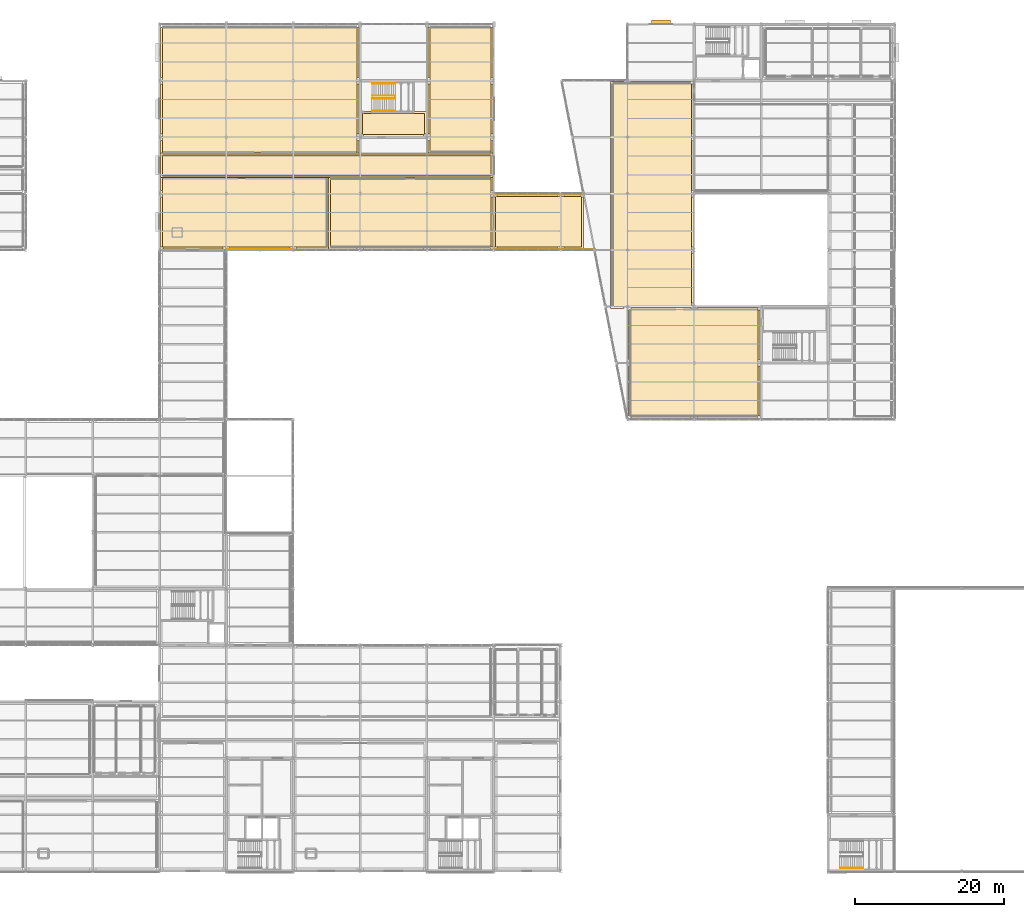
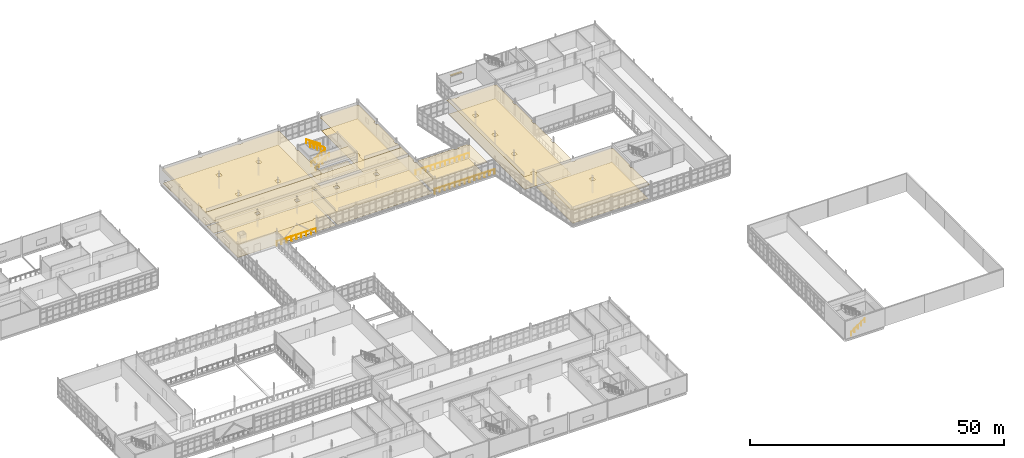
# One storey, part 172 of 174: 18 coverings, 7 railings, 1 shading device.
"""IFC4 building model written with IfcOpenShell, lengths in metres."""

import ifcopenshell
import ifcopenshell.guid

model = None  # the IFC model being written
_history = None  # IfcOwnerHistory: only IFC2X3 demands one
_inside = {}  # id of a spatial element -> (the spatial element, [elements in it])
_under = {}  # id of a project, library or spatial element -> (it, [spatial elements below it])
_declared = {}  # id of a project -> (the project, [libraries it declares])
_typed = {}  # id of a type object -> (the type object, [elements of that type])
_made_of = {}  # id of a material, layer set ... -> (it, [elements and type objects made of it])


def new_model(schema):
    """Start an empty IFC model of exactly this schema.

    Asked for "IFC4X3", IfcOpenShell would pick the latest addendum, in which some entities
    have other attributes; the version numbers below select the first issue.
    IFC2X3 requires an IfcOwnerHistory on every rooted entity: one is made here for all.
    """
    global model, _history
    if schema == "IFC4X3":
        model = ifcopenshell.file(schema_version=(4, 3, 0, 0))
    else:
        model = ifcopenshell.file(schema=schema)
    _inside.clear()
    _under.clear()
    _declared.clear()
    _typed.clear()
    _made_of.clear()
    _history = None
    if model.schema == "IFC2X3":
        org = make("IfcOrganization", Name="unknown")
        user = make(
            "IfcPersonAndOrganization",
            ThePerson=make("IfcPerson", FamilyName="unknown"),
            TheOrganization=org,
        )
        app = make(
            "IfcApplication",
            ApplicationDeveloper=org,
            Version="unknown",
            ApplicationFullName="unknown",
            ApplicationIdentifier="unknown",
        )
        _history = make(
            "IfcOwnerHistory",
            OwningUser=user,
            OwningApplication=app,
            ChangeAction="ADDED",
            CreationDate=0,
        )
    return model


def make(cls, **values):
    """One entity of the class cls with the attributes given. An attribute that is None is left unset."""
    return model.create_entity(
        cls, **{name: value for name, value in values.items() if value is not None}
    )


def rooted(cls, **values):
    """An entity with a GlobalId (a new one), such as an element, a storey or a relation."""
    return make(cls, GlobalId=ifcopenshell.guid.new(), OwnerHistory=_history, **values)


def si_unit(unit_type, name, prefix=None):
    """IfcSIUnit, for example si_unit("LENGTHUNIT", "METRE", prefix="MILLI")."""
    return make("IfcSIUnit", UnitType=unit_type, Prefix=prefix, Name=name)


def assignment(units):
    """IfcUnitAssignment: the units of a project."""
    return None if units is None else make("IfcUnitAssignment", Units=units)


def point(xyz):
    """IfcCartesianPoint."""
    return None if xyz is None else make("IfcCartesianPoint", Coordinates=xyz)


def direction(xyz):
    """IfcDirection."""
    return None if xyz is None else make("IfcDirection", DirectionRatios=xyz)


def frame(location, z_axis=None, x_axis=None):
    """IfcAxis2Placement3D, a coordinate frame: its origin and axes. An axis left out is left unset."""
    return make(
        "IfcAxis2Placement3D",
        Location=point(location),
        Axis=direction(z_axis),
        RefDirection=direction(x_axis),
    )


def frame_2d(location, x_axis=None):
    """IfcAxis2Placement2D, a coordinate frame in the plane: its origin and x axis."""
    return make(
        "IfcAxis2Placement2D", Location=point(location), RefDirection=direction(x_axis)
    )


def origin():
    """The frame at (0, 0, 0) with its axes left unset."""
    return frame((0.0, 0.0, 0.0))


def origin_2d():
    """The frame at (0, 0) in the plane with its x axis left unset."""
    return frame_2d((0.0, 0.0))


def place(relative_to, where):
    """IfcLocalPlacement: puts the frame where relative to a parent placement (None: the world)."""
    return make(
        "IfcLocalPlacement", PlacementRelTo=relative_to, RelativePlacement=where
    )


def context(
    kind, dimensions, precision=None, world=None, true_north=None, identifier=None
):
    """IfcGeometricRepresentationContext, for example the 3D "Model" context."""
    return make(
        "IfcGeometricRepresentationContext",
        ContextIdentifier=identifier,
        ContextType=kind,
        CoordinateSpaceDimension=dimensions,
        Precision=precision,
        WorldCoordinateSystem=world,
        TrueNorth=true_north,
    )


def subcontext(parent, identifier, kind, view, scale=None):
    """IfcGeometricRepresentationSubContext, for example "Body" below "Model"."""
    return make(
        "IfcGeometricRepresentationSubContext",
        ContextIdentifier=identifier,
        ContextType=kind,
        ParentContext=parent,
        TargetScale=scale,
        TargetView=view,
    )


def project(units=None, contexts=None):
    """IfcProject with its units and contexts."""
    return rooted(
        "IfcProject",
        Name="project",
        RepresentationContexts=contexts,
        UnitsInContext=assignment(units),
    )


def spatial(cls, under=None, at=None, **own):
    """A site, building, storey or space (cls), placed at a placement, below another one or the project."""
    s = rooted(cls, ObjectPlacement=at, **own)
    if under is not None:
        _under.setdefault(under.id(), (under, []))[1].append(s)
    return s


def polyline(points):
    """IfcPolyline through the points."""
    return make("IfcPolyline", Points=[point(p) for p in points])


def profile(cls, at=None, kind="AREA", **sizes):
    """A parametric profile (cls). Its sizes go by their IFC names, for example OverallWidth=200.0."""
    return make(cls, ProfileType=kind, Position=at, **sizes)


def rectangle(**sizes):
    """IfcRectangleProfileDef."""
    return profile("IfcRectangleProfileDef", **sizes)


def circle(**sizes):
    """IfcCircleProfileDef."""
    return profile("IfcCircleProfileDef", **sizes)


def outline(outer, holes=None, kind="AREA"):
    """IfcArbitraryClosedProfileDef: a profile drawn as a closed curve; with holes, ...WithVoids."""
    if holes is None:
        return make("IfcArbitraryClosedProfileDef", ProfileType=kind, OuterCurve=outer)
    return make(
        "IfcArbitraryProfileDefWithVoids",
        ProfileType=kind,
        OuterCurve=outer,
        InnerCurves=holes,
    )


def extrude(swept, where, along, depth):
    """IfcExtrudedAreaSolid: the profile swept, set in the frame where, extruded along a direction by depth."""
    return make(
        "IfcExtrudedAreaSolid",
        SweptArea=swept,
        Position=where,
        ExtrudedDirection=direction(along),
        Depth=depth,
    )


def shape(context_of_items, identifier, shape_type, items):
    """IfcShapeRepresentation: the items that make up one representation, for example the "Body"."""
    return make(
        "IfcShapeRepresentation",
        ContextOfItems=context_of_items,
        RepresentationIdentifier=identifier,
        RepresentationType=shape_type,
        Items=items,
    )


def material(Name=None, Category=None):
    """IfcMaterial."""
    return make("IfcMaterial", Name=Name, Category=Category)


def layer(
    of_material, thickness, ventilated=None, Name=None, Category=None, Priority=None
):
    """IfcMaterialLayer: one layer of a wall or slab, of a material (None: an air gap)."""
    return make(
        "IfcMaterialLayer",
        Material=of_material,
        LayerThickness=thickness,
        IsVentilated=ventilated,
        Name=Name,
        Category=Category,
        Priority=Priority,
    )


def layer_set(layers, Name=None):
    """IfcMaterialLayerSet."""
    return make("IfcMaterialLayerSet", MaterialLayers=layers, LayerSetName=Name)


def made_of(thing, what):
    """Note that an element or type object is made of a material, layer set ...; save() writes the relation."""
    if what is not None:
        _made_of.setdefault(what.id(), (what, []))[1].append(thing)
    return thing


def type_object(cls, material=None, **own):
    """A type object (cls), such as IfcWallType, which elements share."""
    return made_of(rooted(cls, **own), material)


def element(
    cls,
    number,
    at=None,
    inside=None,
    cuts=None,
    type_object=None,
    material=None,
    context=None,
    identifier="Body",
    shape_type=None,
    held_by="IfcProductDefinitionShape",
    body=None,
    shapes=None,
    **own,
):
    """One element of the class cls, such as IfcWall. Its Tag is "e" and its number.

    at: its placement. inside: the storey or other place that contains it. cuts: it is an
    opening in that element (IfcRelVoidsElement). A single representation is given by context,
    identifier, shape_type and body (its items); several are given by shapes. held_by: the class
    of the entity that holds the representations. save() writes the other relations.
    """
    e = rooted(cls, Tag="e%d" % number, ObjectPlacement=at, **own)
    if body is not None:
        shapes = [shape(context, identifier, shape_type, body)]
    if shapes is not None:
        e.Representation = make(held_by, Representations=shapes)
    if inside is not None:
        _inside.setdefault(inside.id(), (inside, []))[1].append(e)
    if cuts is not None:
        rooted(
            "IfcRelVoidsElement", RelatingBuildingElement=cuts, RelatedOpeningElement=e
        )
    if type_object is not None:
        _typed.setdefault(type_object.id(), (type_object, []))[1].append(e)
    return made_of(e, material)


def aggregate(whole, parts):
    """IfcRelAggregates: a whole, such as a stair, and the parts it consists of."""
    return rooted("IfcRelAggregates", RelatingObject=whole, RelatedObjects=parts)


def save(model, path):
    """Write the relations noted so far, then the file.

    IfcRelAggregates (storeys below a building ...), IfcRelContainedInSpatialStructure (elements
    in a storey), IfcRelDefinesByType, IfcRelAssociatesMaterial and IfcRelDeclares: one each for
    every whole, place, type object, material and project.
    """
    for whole, parts in _under.values():
        aggregate(whole, parts)
    for where, things in _inside.values():
        rooted(
            "IfcRelContainedInSpatialStructure",
            RelatedElements=things,
            RelatingStructure=where,
        )
    for kind, things in _typed.values():
        rooted("IfcRelDefinesByType", RelatedObjects=things, RelatingType=kind)
    for what, things in _made_of.values():
        rooted("IfcRelAssociatesMaterial", RelatedObjects=things, RelatingMaterial=what)
    for by, libraries in _declared.values():
        rooted("IfcRelDeclares", RelatingContext=by, RelatedDefinitions=libraries)
    model.write(path)


model = new_model("IFC4")

# Units and contexts
model_context = context("Model", 3, precision=1e-05, world=origin(), true_north=direction((0.0, 1.0)))
body_context = subcontext(model_context, "Body", "Model", "MODEL_VIEW")
ifc_project = project(units=[si_unit("LENGTHUNIT", "METRE"), si_unit("AREAUNIT", "SQUARE_METRE"), si_unit("VOLUMEUNIT", "CUBIC_METRE"), si_unit("PLANEANGLEUNIT", "RADIAN"), si_unit("MASSUNIT", "GRAM", prefix="KILO")], contexts=[model_context])

# Site, building, storey
site_placement = place(None, origin())
site = spatial("IfcSite", under=ifc_project, at=site_placement, CompositionType="ELEMENT")
building_placement = place(site_placement, origin())
building = spatial("IfcBuilding", under=site, at=building_placement, Name="Caisbarro Railhouse Central Library", CompositionType="ELEMENT")
storey_placement = place(building_placement, frame((0.0, 0.0, 5.0400390625)))
storey = spatial("IfcBuildingStorey", under=building, at=storey_placement, Name="L01", CompositionType="ELEMENT", Elevation=5.0400390625)

# Coverings
ifc_material_1 = material(Name="Perforated mineral-fibre acoustic ceiling tile")
ifc_layer_1 = layer(ifc_material_1, 0.01806640625, Name="Perforated mineral-fibre acoustic ceiling tile")
ifc_layer_set_1 = layer_set([ifc_layer_1], Name="Perforated mineral-fibre acoustic ceiling tile")
covering_type_1 = type_object("IfcCoveringType", Name="COV-CL01", PredefinedType="CEILING", material=ifc_layer_set_1)
covering_1_placement = place(storey_placement, frame((0.0, 0.0, 3.25)))
element("IfcCovering", 1, at=covering_1_placement, inside=storey, type_object=covering_type_1, Name="CL01 acoustic ceiling Stair Lobby K5", PredefinedType="CEILING", context=body_context, shape_type="SweptSolid", body=[
    extrude(outline(polyline([(89.9599609375, 102.260009765625), (89.9599609375, 99.239990234375), (89.56005859375, 99.239990234375), (89.56005859375, 98.889892578125), (81.43994140625, 98.889892578125), (81.43994140625, 99.239990234375), (81.0400390625, 99.239990234375), (81.0400390625, 102.260009765625), (89.9599609375, 102.260009765625)])), origin(), (0.0, 0.0, 1.0), 0.01806640625),
])
covering_2_placement = place(storey_placement, frame((0.0, 0.0, 3.25)))
element("IfcCovering", 2, at=covering_2_placement, inside=storey, type_object=covering_type_1, Name="CL01 acoustic ceiling Maker and Podcast Corridor L01", PredefinedType="CEILING", context=body_context, shape_type="SweptSolid", body=[
    extrude(outline(polyline([(54.139892578125, 93.340087890625), (54.139892578125, 96.659912109375), (98.860107421875, 96.659912109375), (98.860107421875, 93.340087890625), (54.139892578125, 93.340087890625)])), origin(), (0.0, 0.0, 1.0), 0.01806640625),
])
covering_3_placement = place(storey_placement, frame((0.0, 0.0, 3.25)))
element("IfcCovering", 3, at=covering_3_placement, inside=storey, type_object=covering_type_1, Name="CL01 acoustic ceiling Robotics and 3D-Fabrication Studio", PredefinedType="CEILING", context=body_context, shape_type="SweptSolid", body=[
    extrude(outline(polyline([(62.56005859375, 84.0400390625), (62.56005859375, 83.739990234375), (54.43994140625, 83.739990234375), (54.43994140625, 84.0400390625), (54.139892578125, 84.0400390625), (54.139892578125, 90.760009765625), (54.43994140625, 90.760009765625), (54.43994140625, 91.639892578125), (54.139892578125, 91.639892578125), (54.139892578125, 93.4599609375), (76.860107421875, 93.4599609375), (76.860107421875, 83.739990234375), (72.43994140625, 83.739990234375), (72.43994140625, 84.0400390625), (71.56005859375, 84.0400390625), (71.56005859375, 83.739990234375), (63.43994140625, 83.739990234375), (63.43994140625, 84.0400390625), (62.56005859375, 84.0400390625)]), holes=[polyline([(62.56005859375, 90.760009765625), (63.43994140625, 90.760009765625), (63.43994140625, 91.639892578125), (62.56005859375, 91.639892578125), (62.56005859375, 90.760009765625)]), polyline([(72.43994140625, 91.639892578125), (71.56005859375, 91.639892578125), (71.56005859375, 90.760009765625), (72.43994140625, 90.760009765625), (72.43994140625, 91.639892578125)])]), origin(), (0.0, 0.0, 1.0), 0.01806640625),
])
covering_4_placement = place(storey_placement, frame((0.0, 0.0, 3.25)))
element("IfcCovering", 4, at=covering_4_placement, inside=storey, type_object=covering_type_1, Name="CL01 acoustic ceiling Audio Recording and Podcast Lab", PredefinedType="CEILING", context=body_context, shape_type="SweptSolid", body=[
    extrude(outline(polyline([(89.56005859375, 84.0400390625), (89.56005859375, 83.739990234375), (81.43994140625, 83.739990234375), (81.43994140625, 84.0400390625), (80.56005859375, 84.0400390625), (80.56005859375, 83.739990234375), (76.739990234375, 83.739990234375), (76.739990234375, 93.4599609375), (98.860107421875, 93.4599609375), (98.860107421875, 91.639892578125), (98.56005859375, 91.639892578125), (98.56005859375, 90.760009765625), (98.860107421875, 90.760009765625), (98.860107421875, 84.0400390625), (98.56005859375, 84.0400390625), (98.56005859375, 83.739990234375), (90.43994140625, 83.739990234375), (90.43994140625, 84.0400390625), (89.56005859375, 84.0400390625)]), holes=[polyline([(81.43994140625, 91.639892578125), (80.56005859375, 91.639892578125), (80.56005859375, 90.760009765625), (81.43994140625, 90.760009765625), (81.43994140625, 91.639892578125)]), polyline([(89.56005859375, 90.760009765625), (90.43994140625, 90.760009765625), (90.43994140625, 91.639892578125), (89.56005859375, 91.639892578125), (89.56005859375, 90.760009765625)])]), origin(), (0.0, 0.0, 1.0), 0.01806640625),
])
covering_5_placement = place(storey_placement, frame((0.0, 0.0, 3.25)))
element("IfcCovering", 5, at=covering_5_placement, inside=storey, type_object=covering_type_1, Name="CL01 acoustic ceiling Adult Literacy Seminar Room", PredefinedType="CEILING", context=body_context, shape_type="SweptSolid", body=[
    extrude(outline(polyline([(62.56005859375, 113.860107421875), (62.56005859375, 113.56005859375), (63.43994140625, 113.56005859375), (63.43994140625, 113.860107421875), (71.56005859375, 113.860107421875), (71.56005859375, 113.56005859375), (72.43994140625, 113.56005859375), (72.43994140625, 113.860107421875), (80.56005859375, 113.860107421875), (80.56005859375, 113.56005859375), (80.860107421875, 113.56005859375), (80.860107421875, 106.840087890625), (80.56005859375, 106.840087890625), (80.56005859375, 105.9599609375), (80.860107421875, 105.9599609375), (80.860107421875, 99.239990234375), (80.56005859375, 99.239990234375), (80.56005859375, 98.360107421875), (80.860107421875, 98.360107421875), (80.860107421875, 96.5400390625), (54.139892578125, 96.5400390625), (54.139892578125, 98.360107421875), (54.43994140625, 98.360107421875), (54.43994140625, 99.239990234375), (54.139892578125, 99.239990234375), (54.139892578125, 105.9599609375), (54.43994140625, 105.9599609375), (54.43994140625, 106.840087890625), (54.139892578125, 106.840087890625), (54.139892578125, 113.56005859375), (54.43994140625, 113.56005859375), (54.43994140625, 113.860107421875), (62.56005859375, 113.860107421875)]), holes=[polyline([(63.43994140625, 99.239990234375), (62.56005859375, 99.239990234375), (62.56005859375, 98.360107421875), (63.43994140625, 98.360107421875), (63.43994140625, 99.239990234375)]), polyline([(63.43994140625, 105.9599609375), (63.43994140625, 106.840087890625), (62.56005859375, 106.840087890625), (62.56005859375, 105.9599609375), (63.43994140625, 105.9599609375)]), polyline([(71.56005859375, 99.239990234375), (71.56005859375, 98.360107421875), (72.43994140625, 98.360107421875), (72.43994140625, 99.239990234375), (71.56005859375, 99.239990234375)]), polyline([(72.43994140625, 106.840087890625), (71.56005859375, 106.840087890625), (71.56005859375, 105.9599609375), (72.43994140625, 105.9599609375), (72.43994140625, 106.840087890625)])]), origin(), (0.0, 0.0, 1.0), 0.01806640625),
])
covering_6_placement = place(storey_placement, frame((0.0, 0.0, 3.25)))
element("IfcCovering", 6, at=covering_6_placement, inside=storey, type_object=covering_type_1, Name="CL01 acoustic ceiling Civic Workshop Classroom", PredefinedType="CEILING", context=body_context, shape_type="SweptSolid", body=[
    extrude(outline(polyline([(90.43994140625, 105.9599609375), (90.43994140625, 106.840087890625), (90.139892578125, 106.840087890625), (90.139892578125, 113.56005859375), (90.43994140625, 113.56005859375), (90.43994140625, 113.860107421875), (98.56005859375, 113.860107421875), (98.56005859375, 113.56005859375), (98.860107421875, 113.56005859375), (98.860107421875, 106.840087890625), (98.56005859375, 106.840087890625), (98.56005859375, 105.9599609375), (98.860107421875, 105.9599609375), (98.860107421875, 99.239990234375), (98.56005859375, 99.239990234375), (98.56005859375, 98.360107421875), (98.860107421875, 98.360107421875), (98.860107421875, 96.5400390625), (90.139892578125, 96.5400390625), (90.139892578125, 98.360107421875), (90.43994140625, 98.360107421875), (90.43994140625, 99.239990234375), (90.139892578125, 99.239990234375), (90.139892578125, 105.9599609375), (90.43994140625, 105.9599609375)])), origin(), (0.0, 0.0, 1.0), 0.01806640625),
])
ifc_material_2 = material(Name="Slatted acoustic timber baffle ceiling", Category="wood")
ifc_layer_2 = layer(ifc_material_2, 0.031982421875, Name="Slatted acoustic timber baffle ceiling")
ifc_layer_set_2 = layer_set([ifc_layer_2], Name="Slatted acoustic timber baffle ceiling")
covering_type_2 = type_object("IfcCoveringType", Name="COV-CL02", PredefinedType="CEILING", material=ifc_layer_set_2)
covering_7_placement = place(storey_placement, frame((0.0, 0.0, 3.25)))
element("IfcCovering", 7, at=covering_7_placement, inside=storey, type_object=covering_type_2, Name="CL02 acoustic ceiling Courtyard Reading Bridge East L01", PredefinedType="CEILING", context=body_context, shape_type="SweptSolid", body=[
    extrude(outline(polyline([(108.43994140625, 84.0400390625), (107.56005859375, 84.0400390625), (107.56005859375, 83.739990234375), (99.43994140625, 83.739990234375), (99.43994140625, 84.0400390625), (98.93994140625, 84.0400390625), (98.93994140625, 90.760009765625), (99.43994140625, 90.760009765625), (99.43994140625, 91.06005859375), (107.56005859375, 91.06005859375), (107.56005859375, 90.760009765625), (108.43994140625, 90.760009765625), (108.43994140625, 91.06005859375), (110.65087890625, 91.06005859375), (110.65087890625, 90.760009765625), (111.06005859375, 90.760009765625), (111.06005859375, 83.739990234375), (108.43994140625, 83.739990234375), (108.43994140625, 84.0400390625)])), origin(), (0.0, 0.0, 1.0), 0.031982421875),
])
covering_8_placement = place(storey_placement, frame((0.0, 0.0, 3.25)))
element("IfcCovering", 8, at=covering_8_placement, inside=storey, type_object=covering_type_2, Name="CL02 acoustic ceiling Atrium South Reading Room L01", PredefinedType="CEILING", context=body_context, shape_type="SweptSolid", body=[
    extrude(outline(polyline([(117.43994140625, 61.239990234375), (117.139892578125, 61.239990234375), (117.139892578125, 67.9599609375), (117.43994140625, 67.9599609375), (117.43994140625, 68.840087890625), (117.139892578125, 68.840087890625), (117.139892578125, 75.56005859375), (117.43994140625, 75.56005859375), (117.43994140625, 75.860107421875), (125.56005859375, 75.860107421875), (125.56005859375, 75.56005859375), (126.43994140625, 75.56005859375), (126.43994140625, 75.860107421875), (134.56005859375, 75.860107421875), (134.56005859375, 75.56005859375), (134.860107421875, 75.56005859375), (134.860107421875, 68.840087890625), (134.56005859375, 68.840087890625), (134.56005859375, 67.9599609375), (134.860107421875, 67.9599609375), (134.860107421875, 61.239990234375), (134.56005859375, 61.239990234375), (134.56005859375, 60.93994140625), (126.43994140625, 60.93994140625), (126.43994140625, 61.239990234375), (125.56005859375, 61.239990234375), (125.56005859375, 60.93994140625), (117.43994140625, 60.93994140625), (117.43994140625, 61.239990234375)]), holes=[polyline([(126.43994140625, 68.840087890625), (125.56005859375, 68.840087890625), (125.56005859375, 67.9599609375), (126.43994140625, 67.9599609375), (126.43994140625, 68.840087890625)])]), origin(), (0.0, 0.0, 1.0), 0.031982421875),
])
covering_9_placement = place(storey_placement, frame((0.0, 0.0, 3.25)))
element("IfcCovering", 9, at=covering_9_placement, inside=storey, type_object=covering_type_2, Name="CL02 acoustic ceiling Atrium West Splayed Reading Gallery L01", PredefinedType="CEILING", context=body_context, shape_type="SweptSolid", body=[
    extrude(outline(polyline([(116.56005859375, 106.260009765625), (116.56005859375, 105.9599609375), (117.43994140625, 105.9599609375), (117.43994140625, 106.260009765625), (125.56005859375, 106.260009765625), (125.56005859375, 105.9599609375), (125.860107421875, 105.9599609375), (125.860107421875, 99.239990234375), (125.56005859375, 99.239990234375), (125.56005859375, 98.360107421875), (125.860107421875, 98.360107421875), (125.860107421875, 91.639892578125), (125.56005859375, 91.639892578125), (125.56005859375, 90.760009765625), (125.860107421875, 90.760009765625), (125.860107421875, 84.0400390625), (125.56005859375, 84.0400390625), (125.56005859375, 83.159912109375), (125.860107421875, 83.159912109375), (125.860107421875, 76.43994140625), (125.56005859375, 76.43994140625), (125.56005859375, 75.739990234375), (117.43994140625, 75.739990234375), (117.43994140625, 76.43994140625), (116.56005859375, 76.43994140625), (116.56005859375, 75.739990234375), (114.739990234375, 75.739990234375), (114.739990234375, 106.260009765625), (116.56005859375, 106.260009765625)]), holes=[polyline([(117.43994140625, 84.0400390625), (116.56005859375, 84.0400390625), (116.56005859375, 83.159912109375), (117.43994140625, 83.159912109375), (117.43994140625, 84.0400390625)]), polyline([(117.43994140625, 90.760009765625), (117.43994140625, 91.639892578125), (116.56005859375, 91.639892578125), (116.56005859375, 90.760009765625), (117.43994140625, 90.760009765625)]), polyline([(116.56005859375, 98.360107421875), (117.43994140625, 98.360107421875), (117.43994140625, 99.239990234375), (116.56005859375, 99.239990234375), (116.56005859375, 98.360107421875)])]), origin(), (0.0, 0.0, 1.0), 0.031982421875),
])
ifc_material_3 = material(Name="Polished cementitious terrazzo flooring")
ifc_layer_3 = layer(ifc_material_3, 0.02197265625, Name="Polished cementitious terrazzo flooring")
ifc_layer_set_3 = layer_set([ifc_layer_3], Name="Polished cementitious terrazzo flooring")
covering_type_3 = type_object("IfcCoveringType", Name="COV-FL01", PredefinedType="FLOORING", material=ifc_layer_set_3)
covering_10_placement = place(storey_placement, origin())
element("IfcCovering", 10, at=covering_10_placement, inside=storey, type_object=covering_type_3, Name="FL01 flooring Stair Lobby K5", PredefinedType="FLOORING", context=body_context, shape_type="SweptSolid", body=[
    extrude(outline(polyline([(81.300048828125, 99.14990234375), (89.699951171875, 99.14990234375), (89.699951171875, 102.0), (81.300048828125, 102.0), (81.300048828125, 99.14990234375)])), origin(), (0.0, 0.0, 1.0), 0.02197265625),
])
covering_11_placement = place(storey_placement, origin())
element("IfcCovering", 11, at=covering_11_placement, inside=storey, type_object=covering_type_3, Name="FL01 flooring Maker and Podcast Corridor L01", PredefinedType="FLOORING", context=body_context, shape_type="SweptSolid", body=[
    extrude(outline(polyline([(54.39990234375, 93.60009765625), (98.60009765625, 93.60009765625), (98.60009765625, 96.39990234375), (54.39990234375, 96.39990234375), (54.39990234375, 93.60009765625)])), origin(), (0.0, 0.0, 1.0), 0.02197265625),
])
ifc_material_4 = material(Name="Heavy-duty acoustic linoleum flooring")
ifc_layer_4 = layer(ifc_material_4, 0.011962890625, Name="Heavy-duty acoustic linoleum flooring")
ifc_layer_set_4 = layer_set([ifc_layer_4], Name="Heavy-duty acoustic linoleum flooring")
covering_type_4 = type_object("IfcCoveringType", Name="COV-FL02", PredefinedType="FLOORING", material=ifc_layer_set_4)
covering_12_placement = place(storey_placement, origin())
element("IfcCovering", 12, at=covering_12_placement, inside=storey, type_object=covering_type_4, Name="FL02 flooring Courtyard Reading Bridge East L01", PredefinedType="FLOORING", context=body_context, shape_type="SweptSolid", body=[
    extrude(outline(polyline([(99.199951171875, 84.0), (110.800048828125, 84.0), (110.800048828125, 90.800048828125), (99.199951171875, 90.800048828125), (99.199951171875, 84.0)])), origin(), (0.0, 0.0, 1.0), 0.011962890625),
])
covering_13_placement = place(storey_placement, origin())
element("IfcCovering", 13, at=covering_13_placement, inside=storey, type_object=covering_type_4, Name="FL02 flooring Robotics and 3D-Fabrication Studio", PredefinedType="FLOORING", context=body_context, shape_type="SweptSolid", body=[
    extrude(outline(polyline([(54.39990234375, 84.0), (76.60009765625, 84.0), (76.60009765625, 93.199951171875), (54.39990234375, 93.199951171875), (54.39990234375, 84.0)])), origin(), (0.0, 0.0, 1.0), 0.011962890625),
])
covering_14_placement = place(storey_placement, origin())
element("IfcCovering", 14, at=covering_14_placement, inside=storey, type_object=covering_type_4, Name="FL02 flooring Audio Recording and Podcast Lab", PredefinedType="FLOORING", context=body_context, shape_type="SweptSolid", body=[
    extrude(outline(polyline([(77.0, 84.0), (98.60009765625, 84.0), (98.60009765625, 93.199951171875), (77.0, 93.199951171875), (77.0, 84.0)])), origin(), (0.0, 0.0, 1.0), 0.011962890625),
])
covering_15_placement = place(storey_placement, origin())
element("IfcCovering", 15, at=covering_15_placement, inside=storey, type_object=covering_type_4, Name="FL02 flooring Adult Literacy Seminar Room", PredefinedType="FLOORING", context=body_context, shape_type="SweptSolid", body=[
    extrude(outline(polyline([(54.39990234375, 96.800048828125), (80.60009765625, 96.800048828125), (80.60009765625, 113.60009765625), (54.39990234375, 113.60009765625), (54.39990234375, 96.800048828125)])), origin(), (0.0, 0.0, 1.0), 0.011962890625),
])
covering_16_placement = place(storey_placement, origin())
element("IfcCovering", 16, at=covering_16_placement, inside=storey, type_object=covering_type_4, Name="FL02 flooring Civic Workshop Classroom", PredefinedType="FLOORING", context=body_context, shape_type="SweptSolid", body=[
    extrude(outline(polyline([(90.39990234375, 96.800048828125), (98.60009765625, 96.800048828125), (98.60009765625, 113.60009765625), (90.39990234375, 113.60009765625), (90.39990234375, 96.800048828125)])), origin(), (0.0, 0.0, 1.0), 0.011962890625),
])
covering_17_placement = place(storey_placement, origin())
element("IfcCovering", 17, at=covering_17_placement, inside=storey, type_object=covering_type_4, Name="FL02 flooring Atrium South Reading Room L01", PredefinedType="FLOORING", context=body_context, shape_type="SweptSolid", body=[
    extrude(outline(polyline([(117.39990234375, 61.199951171875), (134.60009765625, 61.199951171875), (134.60009765625, 75.60009765625), (117.39990234375, 75.60009765625), (117.39990234375, 61.199951171875)])), origin(), (0.0, 0.0, 1.0), 0.011962890625),
])
covering_18_placement = place(storey_placement, origin())
element("IfcCovering", 18, at=covering_18_placement, inside=storey, type_object=covering_type_4, Name="FL02 flooring Atrium West Splayed Reading Gallery L01", PredefinedType="FLOORING", context=body_context, shape_type="SweptSolid", body=[
    extrude(outline(polyline([(115.0, 76.0), (125.60009765625, 76.0), (125.60009765625, 106.0), (115.0, 106.0), (115.0, 76.0)])), origin(), (0.0, 0.0, 1.0), 0.011962890625),
])

# Railings
ifc_material_5 = material(Name="Laminated safety glass balustrade with stainless top rail", Category="glass")
railing_type_1 = type_object("IfcRailingType", Name="RLG-ATR112", PredefinedType="GUARDRAIL", material=ifc_material_5)
railing_1_placement = place(storey_placement, frame((99.0, 83.699951171875, 0.0)))
element("IfcRailing", 19, at=railing_1_placement, inside=storey, type_object=railing_type_1, Name="RG02 Interior Void Balustrade L01-20", PredefinedType="GUARDRAIL", context=body_context, shape_type="SweptSolid", body=[
    extrude(circle(Radius=0.02392578125, at=origin_2d()), frame((0.0, 0.0, 1.09619140625), z_axis=(1.0, 0.0, 0.0), x_axis=(0.0, 1.0, 0.0)), (0.0, 0.0, 1.0), 13.568115234375),
    extrude(circle(Radius=0.02099609375, at=origin_2d()), origin(), (0.0, 0.0, 1.0), 1.072021484375),
    extrude(circle(Radius=0.02099609375, at=origin_2d()), frame((1.130615234375, 0.0, 0.0)), (0.0, 0.0, 1.0), 1.072021484375),
    extrude(circle(Radius=0.02099609375, at=origin_2d()), frame((2.26123046875, 0.0, 0.0)), (0.0, 0.0, 1.0), 1.072021484375),
    extrude(circle(Radius=0.02099609375, at=origin_2d()), frame((3.39208984375, 0.0, 0.0)), (0.0, 0.0, 1.0), 1.072021484375),
    extrude(circle(Radius=0.02099609375, at=origin_2d()), frame((4.522705078125, 0.0, 0.0)), (0.0, 0.0, 1.0), 1.072021484375),
    extrude(circle(Radius=0.02099609375, at=origin_2d()), frame((5.6533203125, 0.0, 0.0)), (0.0, 0.0, 1.0), 1.072021484375),
    extrude(circle(Radius=0.02099609375, at=origin_2d()), frame((6.7841796875, 0.0, 0.0)), (0.0, 0.0, 1.0), 1.072021484375),
    extrude(circle(Radius=0.02099609375, at=origin_2d()), frame((7.914794921875, 0.0, 0.0)), (0.0, 0.0, 1.0), 1.072021484375),
    extrude(circle(Radius=0.02099609375, at=origin_2d()), frame((9.04541015625, 0.0, 0.0)), (0.0, 0.0, 1.0), 1.072021484375),
    extrude(circle(Radius=0.02099609375, at=origin_2d()), frame((10.176025390625, 0.0, 0.0)), (0.0, 0.0, 1.0), 1.072021484375),
    extrude(circle(Radius=0.02099609375, at=origin_2d()), frame((11.306640625, 0.0, 0.0)), (0.0, 0.0, 1.0), 1.072021484375),
    extrude(circle(Radius=0.02099609375, at=origin_2d()), frame((12.4375, 0.0, 0.0)), (0.0, 0.0, 1.0), 1.072021484375),
    extrude(circle(Radius=0.02099609375, at=origin_2d()), frame((13.568115234375, 0.0, 0.0)), (0.0, 0.0, 1.0), 1.072021484375),
])
railing_2_placement = place(storey_placement, frame((99.0, 91.10009765625, 0.0)))
element("IfcRailing", 20, at=railing_2_placement, inside=storey, type_object=railing_type_1, Name="RG02 Interior Void Balustrade L01-21", PredefinedType="GUARDRAIL", context=body_context, shape_type="SweptSolid", body=[
    extrude(circle(Radius=0.02392578125, at=origin_2d()), frame((0.0, 0.0, 1.09619140625), z_axis=(1.0, 0.0, 0.0), x_axis=(0.0, 1.0, 0.0)), (0.0, 0.0, 1.0), 12.091064453125),
    extrude(circle(Radius=0.02099609375, at=origin_2d()), origin(), (0.0, 0.0, 1.0), 1.072021484375),
    extrude(circle(Radius=0.02099609375, at=origin_2d()), frame((1.09912109375, 0.0, 0.0)), (0.0, 0.0, 1.0), 1.072021484375),
    extrude(circle(Radius=0.02099609375, at=origin_2d()), frame((2.198486328125, 0.0, 0.0)), (0.0, 0.0, 1.0), 1.072021484375),
    extrude(circle(Radius=0.02099609375, at=origin_2d()), frame((3.297607421875, 0.0, 0.0)), (0.0, 0.0, 1.0), 1.072021484375),
    extrude(circle(Radius=0.02099609375, at=origin_2d()), frame((4.396728515625, 0.0, 0.0)), (0.0, 0.0, 1.0), 1.072021484375),
    extrude(circle(Radius=0.02099609375, at=origin_2d()), frame((5.495849609375, 0.0, 0.0)), (0.0, 0.0, 1.0), 1.072021484375),
    extrude(circle(Radius=0.02099609375, at=origin_2d()), frame((6.59521484375, 0.0, 0.0)), (0.0, 0.0, 1.0), 1.072021484375),
    extrude(circle(Radius=0.02099609375, at=origin_2d()), frame((7.6943359375, 0.0, 0.0)), (0.0, 0.0, 1.0), 1.072021484375),
    extrude(circle(Radius=0.02099609375, at=origin_2d()), frame((8.79345703125, 0.0, 0.0)), (0.0, 0.0, 1.0), 1.072021484375),
    extrude(circle(Radius=0.02099609375, at=origin_2d()), frame((9.892578125, 0.0, 0.0)), (0.0, 0.0, 1.0), 1.072021484375),
    extrude(circle(Radius=0.02099609375, at=origin_2d()), frame((10.991943359375, 0.0, 0.0)), (0.0, 0.0, 1.0), 1.072021484375),
    extrude(circle(Radius=0.02099609375, at=origin_2d()), frame((12.091064453125, 0.0, 0.0)), (0.0, 0.0, 1.0), 1.072021484375),
])
railing_3_placement = place(storey_placement, frame((63.0, 83.699951171875, 0.0)))
element("IfcRailing", 21, at=railing_3_placement, inside=storey, type_object=railing_type_1, Name="RG02 Interior Void Balustrade L01-34", PredefinedType="GUARDRAIL", context=body_context, shape_type="SweptSolid", body=[
    extrude(circle(Radius=0.02392578125, at=origin_2d()), frame((0.0, 0.0, 1.09619140625), z_axis=(1.0, 0.0, 0.0), x_axis=(0.0, 1.0, 0.0)), (0.0, 0.0, 1.0), 9.0),
    extrude(circle(Radius=0.02099609375, at=origin_2d()), origin(), (0.0, 0.0, 1.0), 1.072021484375),
    extrude(circle(Radius=0.02099609375, at=origin_2d()), frame((1.125, 0.0, 0.0)), (0.0, 0.0, 1.0), 1.072021484375),
    extrude(circle(Radius=0.02099609375, at=origin_2d()), frame((2.25, 0.0, 0.0)), (0.0, 0.0, 1.0), 1.072021484375),
    extrude(circle(Radius=0.02099609375, at=origin_2d()), frame((3.375, 0.0, 0.0)), (0.0, 0.0, 1.0), 1.072021484375),
    extrude(circle(Radius=0.02099609375, at=origin_2d()), frame((4.5, 0.0, 0.0)), (0.0, 0.0, 1.0), 1.072021484375),
    extrude(circle(Radius=0.02099609375, at=origin_2d()), frame((5.625, 0.0, 0.0)), (0.0, 0.0, 1.0), 1.072021484375),
    extrude(circle(Radius=0.02099609375, at=origin_2d()), frame((6.75, 0.0, 0.0)), (0.0, 0.0, 1.0), 1.072021484375),
    extrude(circle(Radius=0.02099609375, at=origin_2d()), frame((7.875, 0.0, 0.0)), (0.0, 0.0, 1.0), 1.072021484375),
    extrude(circle(Radius=0.02099609375, at=origin_2d()), frame((9.0, 0.0, 0.0)), (0.0, 0.0, 1.0), 1.072021484375),
])
ifc_material_6 = material(Name="Brushed stainless steel Grade 316", Category="steel")
railing_type_2 = type_object("IfcRailingType", Name="RLG-STR092", PredefinedType="HANDRAIL", material=ifc_material_6)
railing_4_placement = place(storey_placement, frame((82.64990234375, 102.340087890625, 0.0)))
element("IfcRailing", 22, at=railing_4_placement, inside=storey, type_object=railing_type_2, Name="Stair ST-05 Outer Handrail F1 L01", PredefinedType="HANDRAIL", context=body_context, shape_type="SweptSolid", body=[
    extrude(circle(Radius=0.02392578125, at=origin_2d()), frame((0.0, 0.0, 0.89599609375), z_axis=(0.819624179701, 0.0, 0.572901565759), x_axis=(0.0, 1.0, 0.0)), (0.0, 0.0, 1.0), 3.77001953125),
    extrude(circle(Radius=0.02099609375, at=origin_2d()), origin(), (0.0, 0.0, 1.0), 0.871826171875),
    extrude(circle(Radius=0.02099609375, at=origin_2d()), frame((0.7724609375, 0.0, 0.5400390625)), (0.0, 0.0, 1.0), 0.871826171875),
    extrude(circle(Radius=0.02099609375, at=origin_2d()), frame((1.544921875, 0.0, 1.080078125)), (0.0, 0.0, 1.0), 0.871826171875),
    extrude(circle(Radius=0.02099609375, at=origin_2d()), frame((2.317626953125, 0.0, 1.619873046875)), (0.0, 0.0, 1.0), 0.871826171875),
    extrude(circle(Radius=0.02099609375, at=origin_2d()), frame((3.090087890625, 0.0, 2.159912109375)), (0.0, 0.0, 1.0), 0.871826171875),
])
railing_5_placement = place(storey_placement, frame((85.739990234375, 106.010009765625, 2.159912109375)))
element("IfcRailing", 23, at=railing_5_placement, inside=storey, type_object=railing_type_2, Name="Stair ST-05 Outer Handrail F2 L01", PredefinedType="HANDRAIL", context=body_context, shape_type="SweptSolid", body=[
    extrude(circle(Radius=0.02392578125, at=origin_2d()), frame((0.0, 0.0, 0.89599609375), z_axis=(-0.819593772312, 0.0, 0.572945065767), x_axis=(0.0, -1.0, 0.0)), (0.0, 0.0, 1.0), 3.770263671875),
    extrude(circle(Radius=0.02099609375, at=origin_2d()), origin(), (0.0, 0.0, 1.0), 0.871826171875),
    extrude(circle(Radius=0.02099609375, at=origin_2d()), frame((-0.7724609375, 0.0, 0.5400390625)), (0.0, 0.0, 1.0), 0.871826171875),
    extrude(circle(Radius=0.02099609375, at=origin_2d()), frame((-1.544921875, 0.0, 1.080078125)), (0.0, 0.0, 1.0), 0.871826171875),
    extrude(circle(Radius=0.02099609375, at=origin_2d()), frame((-2.317626953125, 0.0, 1.6201171875)), (0.0, 0.0, 1.0), 0.871826171875),
    extrude(circle(Radius=0.02099609375, at=origin_2d()), frame((-3.090087890625, 0.0, 2.16015625)), (0.0, 0.0, 1.0), 0.871826171875),
])
railing_6_placement = place(storey_placement, frame((145.64990234375, 0.389892578125, 0.0)))
element("IfcRailing", 24, at=railing_6_placement, inside=storey, type_object=railing_type_2, Name="Stair ST-09 Outer Handrail F1 L01", PredefinedType="HANDRAIL", context=body_context, shape_type="SweptSolid", body=[
    extrude(circle(Radius=0.02392578125, at=origin_2d()), frame((0.0, 0.0, 0.89599609375), z_axis=(0.819624179701, 0.0, 0.572901565759), x_axis=(0.0, 1.0, 0.0)), (0.0, 0.0, 1.0), 3.77001953125),
    extrude(circle(Radius=0.02099609375, at=origin_2d()), origin(), (0.0, 0.0, 1.0), 0.871826171875),
    extrude(circle(Radius=0.02099609375, at=origin_2d()), frame((0.7724609375, 0.0, 0.5400390625)), (0.0, 0.0, 1.0), 0.871826171875),
    extrude(circle(Radius=0.02099609375, at=origin_2d()), frame((1.544921875, 0.0, 1.080078125)), (0.0, 0.0, 1.0), 0.871826171875),
    extrude(circle(Radius=0.02099609375, at=origin_2d()), frame((2.317626953125, 0.0, 1.619873046875)), (0.0, 0.0, 1.0), 0.871826171875),
    extrude(circle(Radius=0.02099609375, at=origin_2d()), frame((3.090087890625, 0.0, 2.159912109375)), (0.0, 0.0, 1.0), 0.871826171875),
])
railing_type_3 = type_object("IfcRailingType", Name="RLG-STR110", PredefinedType="GUARDRAIL", material=ifc_material_6)
railing_7_placement = place(storey_placement, frame((82.64990234375, 103.97998046875, 0.0)))
element("IfcRailing", 25, at=railing_7_placement, inside=storey, type_object=railing_type_3, Name="Stair ST-05 Inner Well Guardrail L01", PredefinedType="GUARDRAIL", context=body_context, shape_type="SweptSolid", body=[
    extrude(circle(Radius=0.02392578125, at=origin_2d()), frame((0.0, 0.0, 1.076171875), z_axis=(0.819624179701, 0.0, 0.572901565759), x_axis=(0.0, 1.0, 0.0)), (0.0, 0.0, 1.0), 3.77001953125),
    extrude(circle(Radius=0.02392578125, at=origin_2d()), frame((3.090087890625, 0.0, 3.23583984375), z_axis=(0.0, 1.0, 0.0), x_axis=(-1.0, 0.0, 0.0)), (0.0, 0.0, 1.0), 0.39013671875),
    extrude(circle(Radius=0.02392578125, at=origin_2d()), frame((3.090087890625, 0.39013671875, 3.23583984375), z_axis=(-0.819593772312, 0.0, 0.572945065767), x_axis=(0.0, -1.0, 0.0)), (0.0, 0.0, 1.0), 3.770263671875),
    extrude(circle(Radius=0.02099609375, at=origin_2d()), origin(), (0.0, 0.0, 1.0), 1.052001953125),
    extrude(circle(Radius=0.02099609375, at=origin_2d()), frame((0.7724609375, 0.0, 0.5400390625)), (0.0, 0.0, 1.0), 1.052001953125),
    extrude(circle(Radius=0.02099609375, at=origin_2d()), frame((1.544921875, 0.0, 1.080078125)), (0.0, 0.0, 1.0), 1.052001953125),
    extrude(circle(Radius=0.02099609375, at=origin_2d()), frame((2.317626953125, 0.0, 1.619873046875)), (0.0, 0.0, 1.0), 1.052001953125),
    extrude(circle(Radius=0.02099609375, at=origin_2d()), frame((3.090087890625, 0.0, 2.159912109375)), (0.0, 0.0, 1.0), 1.052001953125),
    extrude(circle(Radius=0.02099609375, at=origin_2d()), frame((3.090087890625, 0.39013671875, 2.159912109375)), (0.0, 0.0, 1.0), 1.052001953125),
    extrude(circle(Radius=0.02099609375, at=origin_2d()), frame((2.317626953125, 0.39013671875, 2.699951171875)), (0.0, 0.0, 1.0), 1.052001953125),
    extrude(circle(Radius=0.02099609375, at=origin_2d()), frame((1.544921875, 0.39013671875, 3.239990234375)), (0.0, 0.0, 1.0), 1.052001953125),
    extrude(circle(Radius=0.02099609375, at=origin_2d()), frame((0.7724609375, 0.39013671875, 3.780029296875)), (0.0, 0.0, 1.0), 1.052001953125),
    extrude(circle(Radius=0.02099609375, at=origin_2d()), frame((0.0, 0.39013671875, 4.320068359375)), (0.0, 0.0, 1.0), 1.052001953125),
])

# Shading device
ifc_material_7 = material(Name="Anodised architectural aluminium", Category="aluminium")
ifc_layer_5 = layer(ifc_material_7, 0.050048828125, Name="Anodised architectural aluminium")
ifc_layer_set_5 = layer_set([ifc_layer_5], Name="Anodised architectural aluminium")
shading_device_type = type_object("IfcShadingDeviceType", Name="SHD-JAL01", PredefinedType="JALOUSIE", material=ifc_layer_set_5)
shading_device_placement = place(storey_placement, frame((121.5, 114.330078125, 2.384765625), z_axis=(0.0, 0.0, 1.0), x_axis=(1.0, 0.0, 0.0)))
element("IfcShadingDevice", 26, at=shading_device_placement, inside=storey, type_object=shading_device_type, Name="JL01 solar brise-soleil L01-28", PredefinedType="JALOUSIE", context=body_context, shape_type="SweptSolid", body=[
    extrude(rectangle(XDim=2.60009765625, YDim=0.47998046875, at=origin_2d()), origin(), (0.0, 0.0, 1.0), 0.050048828125),
])

save(model, "model.ifc")
